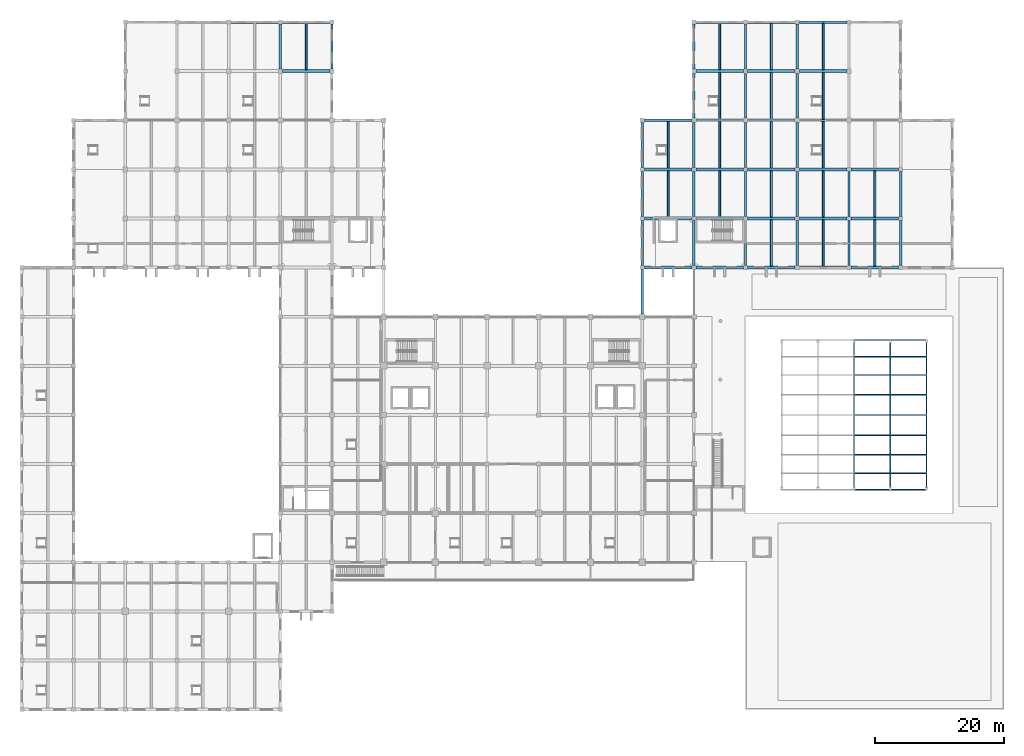
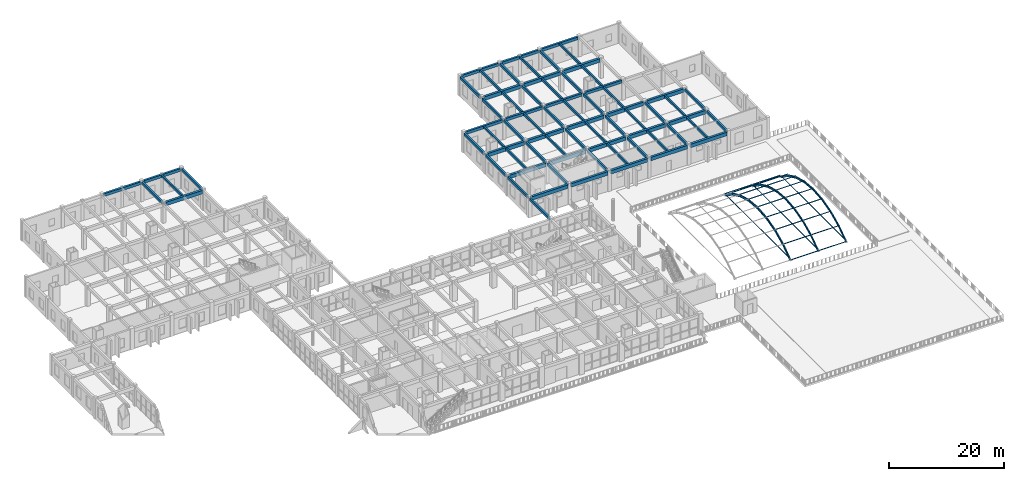
# One storey, part 40 of 79: 96 beams, 21 members.
"""IFC4 building model written with IfcOpenShell, lengths in metres."""

import ifcopenshell
import ifcopenshell.guid

model = None  # the IFC model being written
_history = None  # IfcOwnerHistory: only IFC2X3 demands one
_inside = {}  # id of a spatial element -> (the spatial element, [elements in it])
_under = {}  # id of a project, library or spatial element -> (it, [spatial elements below it])
_declared = {}  # id of a project -> (the project, [libraries it declares])
_typed = {}  # id of a type object -> (the type object, [elements of that type])
_made_of = {}  # id of a material, layer set ... -> (it, [elements and type objects made of it])


def new_model(schema):
    """Start an empty IFC model of exactly this schema.

    Asked for "IFC4X3", IfcOpenShell would pick the latest addendum, in which some entities
    have other attributes; the version numbers below select the first issue.
    IFC2X3 requires an IfcOwnerHistory on every rooted entity: one is made here for all.
    """
    global model, _history
    if schema == "IFC4X3":
        model = ifcopenshell.file(schema_version=(4, 3, 0, 0))
    else:
        model = ifcopenshell.file(schema=schema)
    _inside.clear()
    _under.clear()
    _declared.clear()
    _typed.clear()
    _made_of.clear()
    _history = None
    if model.schema == "IFC2X3":
        org = make("IfcOrganization", Name="unknown")
        user = make(
            "IfcPersonAndOrganization",
            ThePerson=make("IfcPerson", FamilyName="unknown"),
            TheOrganization=org,
        )
        app = make(
            "IfcApplication",
            ApplicationDeveloper=org,
            Version="unknown",
            ApplicationFullName="unknown",
            ApplicationIdentifier="unknown",
        )
        _history = make(
            "IfcOwnerHistory",
            OwningUser=user,
            OwningApplication=app,
            ChangeAction="ADDED",
            CreationDate=0,
        )
    return model


def make(cls, **values):
    """One entity of the class cls with the attributes given. An attribute that is None is left unset."""
    return model.create_entity(
        cls, **{name: value for name, value in values.items() if value is not None}
    )


def rooted(cls, **values):
    """An entity with a GlobalId (a new one), such as an element, a storey or a relation."""
    return make(cls, GlobalId=ifcopenshell.guid.new(), OwnerHistory=_history, **values)


def si_unit(unit_type, name, prefix=None):
    """IfcSIUnit, for example si_unit("LENGTHUNIT", "METRE", prefix="MILLI")."""
    return make("IfcSIUnit", UnitType=unit_type, Prefix=prefix, Name=name)


def assignment(units):
    """IfcUnitAssignment: the units of a project."""
    return None if units is None else make("IfcUnitAssignment", Units=units)


def point(xyz):
    """IfcCartesianPoint."""
    return None if xyz is None else make("IfcCartesianPoint", Coordinates=xyz)


def direction(xyz):
    """IfcDirection."""
    return None if xyz is None else make("IfcDirection", DirectionRatios=xyz)


def frame(location, z_axis=None, x_axis=None):
    """IfcAxis2Placement3D, a coordinate frame: its origin and axes. An axis left out is left unset."""
    return make(
        "IfcAxis2Placement3D",
        Location=point(location),
        Axis=direction(z_axis),
        RefDirection=direction(x_axis),
    )


def frame_2d(location, x_axis=None):
    """IfcAxis2Placement2D, a coordinate frame in the plane: its origin and x axis."""
    return make(
        "IfcAxis2Placement2D", Location=point(location), RefDirection=direction(x_axis)
    )


def origin():
    """The frame at (0, 0, 0) with its axes left unset."""
    return frame((0.0, 0.0, 0.0))


def origin_2d():
    """The frame at (0, 0) in the plane with its x axis left unset."""
    return frame_2d((0.0, 0.0))


def place(relative_to, where):
    """IfcLocalPlacement: puts the frame where relative to a parent placement (None: the world)."""
    return make(
        "IfcLocalPlacement", PlacementRelTo=relative_to, RelativePlacement=where
    )


def context(
    kind, dimensions, precision=None, world=None, true_north=None, identifier=None
):
    """IfcGeometricRepresentationContext, for example the 3D "Model" context."""
    return make(
        "IfcGeometricRepresentationContext",
        ContextIdentifier=identifier,
        ContextType=kind,
        CoordinateSpaceDimension=dimensions,
        Precision=precision,
        WorldCoordinateSystem=world,
        TrueNorth=true_north,
    )


def subcontext(parent, identifier, kind, view, scale=None):
    """IfcGeometricRepresentationSubContext, for example "Body" below "Model"."""
    return make(
        "IfcGeometricRepresentationSubContext",
        ContextIdentifier=identifier,
        ContextType=kind,
        ParentContext=parent,
        TargetScale=scale,
        TargetView=view,
    )


def project(units=None, contexts=None):
    """IfcProject with its units and contexts."""
    return rooted(
        "IfcProject",
        Name="project",
        RepresentationContexts=contexts,
        UnitsInContext=assignment(units),
    )


def spatial(cls, under=None, at=None, **own):
    """A site, building, storey or space (cls), placed at a placement, below another one or the project."""
    s = rooted(cls, ObjectPlacement=at, **own)
    if under is not None:
        _under.setdefault(under.id(), (under, []))[1].append(s)
    return s


def profile(cls, at=None, kind="AREA", **sizes):
    """A parametric profile (cls). Its sizes go by their IFC names, for example OverallWidth=200.0."""
    return make(cls, ProfileType=kind, Position=at, **sizes)


def rectangle(**sizes):
    """IfcRectangleProfileDef."""
    return profile("IfcRectangleProfileDef", **sizes)


def hollow_rectangle(**sizes):
    """IfcRectangleHollowProfileDef."""
    return profile("IfcRectangleHollowProfileDef", **sizes)


def hollow_circle(**sizes):
    """IfcCircleHollowProfileDef."""
    return profile("IfcCircleHollowProfileDef", **sizes)


def i_section(**sizes):
    """IfcIShapeProfileDef."""
    return profile("IfcIShapeProfileDef", **sizes)


def extrude(swept, where, along, depth):
    """IfcExtrudedAreaSolid: the profile swept, set in the frame where, extruded along a direction by depth."""
    return make(
        "IfcExtrudedAreaSolid",
        SweptArea=swept,
        Position=where,
        ExtrudedDirection=direction(along),
        Depth=depth,
    )


def shape(context_of_items, identifier, shape_type, items):
    """IfcShapeRepresentation: the items that make up one representation, for example the "Body"."""
    return make(
        "IfcShapeRepresentation",
        ContextOfItems=context_of_items,
        RepresentationIdentifier=identifier,
        RepresentationType=shape_type,
        Items=items,
    )


def material(Name=None, Category=None):
    """IfcMaterial."""
    return make("IfcMaterial", Name=Name, Category=Category)


def material_profile(
    of_material, cross_section, Name=None, Category=None, Priority=None
):
    """IfcMaterialProfile: a cross section and its material."""
    return make(
        "IfcMaterialProfile",
        Name=Name,
        Material=of_material,
        Profile=cross_section,
        Priority=Priority,
        Category=Category,
    )


def profile_set(profiles, Name=None, composite=None):
    """IfcMaterialProfileSet."""
    return make(
        "IfcMaterialProfileSet",
        Name=Name,
        MaterialProfiles=profiles,
        CompositeProfile=composite,
    )


def made_of(thing, what):
    """Note that an element or type object is made of a material, layer set ...; save() writes the relation."""
    if what is not None:
        _made_of.setdefault(what.id(), (what, []))[1].append(thing)
    return thing


def type_object(cls, material=None, **own):
    """A type object (cls), such as IfcWallType, which elements share."""
    return made_of(rooted(cls, **own), material)


def element(
    cls,
    number,
    at=None,
    inside=None,
    cuts=None,
    type_object=None,
    material=None,
    context=None,
    identifier="Body",
    shape_type=None,
    held_by="IfcProductDefinitionShape",
    body=None,
    shapes=None,
    **own,
):
    """One element of the class cls, such as IfcWall. Its Tag is "e" and its number.

    at: its placement. inside: the storey or other place that contains it. cuts: it is an
    opening in that element (IfcRelVoidsElement). A single representation is given by context,
    identifier, shape_type and body (its items); several are given by shapes. held_by: the class
    of the entity that holds the representations. save() writes the other relations.
    """
    e = rooted(cls, Tag="e%d" % number, ObjectPlacement=at, **own)
    if body is not None:
        shapes = [shape(context, identifier, shape_type, body)]
    if shapes is not None:
        e.Representation = make(held_by, Representations=shapes)
    if inside is not None:
        _inside.setdefault(inside.id(), (inside, []))[1].append(e)
    if cuts is not None:
        rooted(
            "IfcRelVoidsElement", RelatingBuildingElement=cuts, RelatedOpeningElement=e
        )
    if type_object is not None:
        _typed.setdefault(type_object.id(), (type_object, []))[1].append(e)
    return made_of(e, material)


def aggregate(whole, parts):
    """IfcRelAggregates: a whole, such as a stair, and the parts it consists of."""
    return rooted("IfcRelAggregates", RelatingObject=whole, RelatedObjects=parts)


def save(model, path):
    """Write the relations noted so far, then the file.

    IfcRelAggregates (storeys below a building ...), IfcRelContainedInSpatialStructure (elements
    in a storey), IfcRelDefinesByType, IfcRelAssociatesMaterial and IfcRelDeclares: one each for
    every whole, place, type object, material and project.
    """
    for whole, parts in _under.values():
        aggregate(whole, parts)
    for where, things in _inside.values():
        rooted(
            "IfcRelContainedInSpatialStructure",
            RelatedElements=things,
            RelatingStructure=where,
        )
    for kind, things in _typed.values():
        rooted("IfcRelDefinesByType", RelatedObjects=things, RelatingType=kind)
    for what, things in _made_of.values():
        rooted("IfcRelAssociatesMaterial", RelatedObjects=things, RelatingMaterial=what)
    for by, libraries in _declared.values():
        rooted("IfcRelDeclares", RelatingContext=by, RelatedDefinitions=libraries)
    model.write(path)


model = new_model("IFC4")

# Units and contexts
model_context = context("Model", 3, precision=1e-05, world=origin(), true_north=direction((0.0, 1.0)))
body_context = subcontext(model_context, "Body", "Model", "MODEL_VIEW")
ifc_project = project(units=[si_unit("LENGTHUNIT", "METRE"), si_unit("AREAUNIT", "SQUARE_METRE"), si_unit("VOLUMEUNIT", "CUBIC_METRE"), si_unit("PLANEANGLEUNIT", "RADIAN"), si_unit("MASSUNIT", "GRAM", prefix="KILO")], contexts=[model_context])

# Site, building, storey
site_placement = place(None, origin())
site = spatial("IfcSite", under=ifc_project, at=site_placement, CompositionType="ELEMENT")
building_placement = place(site_placement, origin())
building = spatial("IfcBuilding", under=site, at=building_placement, Name="Zantavel Square City Hall", CompositionType="ELEMENT")
storey_placement = place(building_placement, frame((0.0, 0.0, 10.199951171875)))
storey = spatial("IfcBuildingStorey", under=building, at=storey_placement, Name="L03", CompositionType="ELEMENT", Elevation=10.199951171875)

# Beams
ifc_material_1 = material(Name="Concrete C35/45", Category="concrete")
ifc_material_profile_1 = material_profile(ifc_material_1, rectangle(XDim=0.300048828125, YDim=0.5, at=origin_2d()), Name="RC 300x500")
ifc_profile_set_1 = profile_set([ifc_material_profile_1], Name="Concrete C35/45")
beam_type_1 = type_object("IfcBeamType", Name="Floor Joist RC 300x500 C35/45", PredefinedType="JOIST", material=ifc_profile_set_1)
beam_1_placement = place(storey_placement, frame((52.0, 106.625, 3.969970703125), z_axis=(0.0, 1.0, 0.0), x_axis=(-1.0, 0.0, 0.0)))
element("IfcBeam", 1, at=beam_1_placement, inside=storey, type_object=beam_type_1, Name="L03 Floor Joist JST-L03-0520-1064", PredefinedType="JOIST", context=body_context, shape_type="SweptSolid", body=[
    extrude(rectangle(XDim=0.300048828125, YDim=0.5, at=origin_2d()), origin(), (0.0, 0.0, 1.0), 7.175048828125),
])
beam_2_placement = place(storey_placement, frame((108.0, 83.824951171875, 3.969970703125), z_axis=(0.0, 1.0, 0.0), x_axis=(-1.0, 0.0, 0.0)))
element("IfcBeam", 2, at=beam_2_placement, inside=storey, type_object=beam_type_1, Name="L03 Floor Joist JST-L03-1080-0836", PredefinedType="JOIST", context=body_context, shape_type="SweptSolid", body=[
    extrude(rectangle(XDim=0.300048828125, YDim=0.5, at=origin_2d()), origin(), (0.0, 0.0, 1.0), 7.150146484375),
])
beam_3_placement = place(storey_placement, frame((108.0, 91.425048828125, 3.969970703125), z_axis=(0.0, 1.0, 0.0), x_axis=(-1.0, 0.0, 0.0)))
element("IfcBeam", 3, at=beam_3_placement, inside=storey, type_object=beam_type_1, Name="L03 Floor Joist JST-L03-1080-0912", PredefinedType="JOIST", context=body_context, shape_type="SweptSolid", body=[
    extrude(rectangle(XDim=0.300048828125, YDim=0.5, at=origin_2d()), origin(), (0.0, 0.0, 1.0), 7.175048828125),
])
beam_4_placement = place(storey_placement, frame((116.0, 83.824951171875, 3.969970703125), z_axis=(0.0, 1.0, 0.0), x_axis=(-1.0, 0.0, 0.0)))
element("IfcBeam", 4, at=beam_4_placement, inside=storey, type_object=beam_type_1, Name="L03 Floor Joist JST-L03-1160-0836", PredefinedType="JOIST", context=body_context, shape_type="SweptSolid", body=[
    extrude(rectangle(XDim=0.300048828125, YDim=0.5, at=origin_2d()), origin(), (0.0, 0.0, 1.0), 7.150146484375),
])
for number, where, z_axis, x_axis, name in (
    (5, (116.0, 91.425048828125, 3.969970703125), (0.0, 1.0, 0.0), (-1.0, 0.0, 0.0), "L03 Floor Joist JST-L03-1160-0912"),
    (6, (116.0, 99.0, 3.969970703125), (0.0, 1.0, 0.0), (-1.0, 0.0, 0.0), "L03 Floor Joist JST-L03-1160-0988"),
    (7, (116.0, 106.625, 3.969970703125), (0.0, 1.0, 0.0), (-1.0, 0.0, 0.0), "L03 Floor Joist JST-L03-1160-1064"),
):
    element("IfcBeam", number, at=place(storey_placement, frame(where, z_axis=z_axis, x_axis=x_axis)), inside=storey, type_object=beam_type_1, Name=name, PredefinedType="JOIST", context=body_context, shape_type="SweptSolid", body=[
        extrude(rectangle(XDim=0.300048828125, YDim=0.5, at=origin_2d()), origin(), (0.0, 0.0, 1.0), 7.175048828125),
    ])
beam_5_placement = place(storey_placement, frame((124.0, 76.22509765625, 3.969970703125), z_axis=(0.0, 1.0, 0.0), x_axis=(-1.0, 0.0, 0.0)))
element("IfcBeam", 8, at=beam_5_placement, inside=storey, type_object=beam_type_1, Name="L03 Floor Joist JST-L03-1240-0760", PredefinedType="JOIST", context=body_context, shape_type="SweptSolid", body=[
    extrude(rectangle(XDim=0.300048828125, YDim=0.5, at=origin_2d()), origin(), (0.0, 0.0, 1.0), 7.14990234375),
])
beam_6_placement = place(storey_placement, frame((124.0, 83.824951171875, 3.969970703125), z_axis=(0.0, 1.0, 0.0), x_axis=(-1.0, 0.0, 0.0)))
element("IfcBeam", 9, at=beam_6_placement, inside=storey, type_object=beam_type_1, Name="L03 Floor Joist JST-L03-1240-0836", PredefinedType="JOIST", context=body_context, shape_type="SweptSolid", body=[
    extrude(rectangle(XDim=0.300048828125, YDim=0.5, at=origin_2d()), origin(), (0.0, 0.0, 1.0), 7.150146484375),
])
for number, where, z_axis, x_axis, name in (
    (10, (124.0, 91.425048828125, 3.969970703125), (0.0, 1.0, 0.0), (-1.0, 0.0, 0.0), "L03 Floor Joist JST-L03-1240-0912"),
    (11, (124.0, 99.0, 3.969970703125), (0.0, 1.0, 0.0), (-1.0, 0.0, 0.0), "L03 Floor Joist JST-L03-1240-0988"),
    (12, (124.0, 106.625, 3.969970703125), (0.0, 1.0, 0.0), (-1.0, 0.0, 0.0), "L03 Floor Joist JST-L03-1240-1064"),
):
    element("IfcBeam", number, at=place(storey_placement, frame(where, z_axis=z_axis, x_axis=x_axis)), inside=storey, type_object=beam_type_1, Name=name, PredefinedType="JOIST", context=body_context, shape_type="SweptSolid", body=[
        extrude(rectangle(XDim=0.300048828125, YDim=0.5, at=origin_2d()), origin(), (0.0, 0.0, 1.0), 7.175048828125),
    ])
beam_7_placement = place(storey_placement, frame((132.0, 76.22509765625, 3.969970703125), z_axis=(0.0, 1.0, 0.0), x_axis=(-1.0, 0.0, 0.0)))
element("IfcBeam", 13, at=beam_7_placement, inside=storey, type_object=beam_type_1, Name="L03 Floor Joist JST-L03-1320-0760", PredefinedType="JOIST", context=body_context, shape_type="SweptSolid", body=[
    extrude(rectangle(XDim=0.300048828125, YDim=0.5, at=origin_2d()), origin(), (0.0, 0.0, 1.0), 7.14990234375),
])
beam_8_placement = place(storey_placement, frame((132.0, 83.824951171875, 3.969970703125), z_axis=(0.0, 1.0, 0.0), x_axis=(-1.0, 0.0, 0.0)))
element("IfcBeam", 14, at=beam_8_placement, inside=storey, type_object=beam_type_1, Name="L03 Floor Joist JST-L03-1320-0836", PredefinedType="JOIST", context=body_context, shape_type="SweptSolid", body=[
    extrude(rectangle(XDim=0.300048828125, YDim=0.5, at=origin_2d()), origin(), (0.0, 0.0, 1.0), 7.150146484375),
])
for number, where, z_axis, x_axis, name in (
    (15, (132.0, 91.425048828125, 3.969970703125), (0.0, 1.0, 0.0), (-1.0, 0.0, 0.0), "L03 Floor Joist JST-L03-1320-0912"),
    (16, (132.0, 99.0, 3.969970703125), (0.0, 1.0, 0.0), (-1.0, 0.0, 0.0), "L03 Floor Joist JST-L03-1320-0988"),
    (17, (132.0, 106.625, 3.969970703125), (0.0, 1.0, 0.0), (-1.0, 0.0, 0.0), "L03 Floor Joist JST-L03-1320-1064"),
):
    element("IfcBeam", number, at=place(storey_placement, frame(where, z_axis=z_axis, x_axis=x_axis)), inside=storey, type_object=beam_type_1, Name=name, PredefinedType="JOIST", context=body_context, shape_type="SweptSolid", body=[
        extrude(rectangle(XDim=0.300048828125, YDim=0.5, at=origin_2d()), origin(), (0.0, 0.0, 1.0), 7.175048828125),
    ])
beam_9_placement = place(storey_placement, frame((140.0, 76.22509765625, 3.969970703125), z_axis=(0.0, 1.0, 0.0), x_axis=(-1.0, 0.0, 0.0)))
element("IfcBeam", 18, at=beam_9_placement, inside=storey, type_object=beam_type_1, Name="L03 Floor Joist JST-L03-1400-0760", PredefinedType="JOIST", context=body_context, shape_type="SweptSolid", body=[
    extrude(rectangle(XDim=0.300048828125, YDim=0.5, at=origin_2d()), origin(), (0.0, 0.0, 1.0), 7.14990234375),
])
beam_10_placement = place(storey_placement, frame((140.0, 83.824951171875, 3.969970703125), z_axis=(0.0, 1.0, 0.0), x_axis=(-1.0, 0.0, 0.0)))
element("IfcBeam", 19, at=beam_10_placement, inside=storey, type_object=beam_type_1, Name="L03 Floor Joist JST-L03-1400-0836", PredefinedType="JOIST", context=body_context, shape_type="SweptSolid", body=[
    extrude(rectangle(XDim=0.300048828125, YDim=0.5, at=origin_2d()), origin(), (0.0, 0.0, 1.0), 7.150146484375),
])
ifc_material_profile_2 = material_profile(ifc_material_1, rectangle(XDim=0.39990234375, YDim=0.60009765625, at=origin_2d()), Name="RC 400x600")
ifc_profile_set_2 = profile_set([ifc_material_profile_2], Name="Concrete C35/45")
beam_type_2 = type_object("IfcBeamType", Name="Perimeter Spandrel RC 400x600 C35/45", PredefinedType="SPANDREL", material=ifc_profile_set_2)
for number, where, z_axis, x_axis, name in (
    (20, (40.324951171875, 114.0, 3.920166015625), (1.0, 0.0, 0.0), (0.0, 1.0, 0.0), "L03 Girder BMX-L03-0400-1140"),
    (21, (48.324951171875, 114.0, 3.920166015625), (1.0, 0.0, 0.0), (0.0, 1.0, 0.0), "L03 Girder BMX-L03-0480-1140"),
    (22, (104.324951171875, 98.800048828125, 3.920166015625), (1.0, 0.0, 0.0), (0.0, 1.0, 0.0), "L03 Girder BMX-L03-1040-0988"),
    (23, (112.324951171875, 98.800048828125, 3.920166015625), (1.0, 0.0, 0.0), (0.0, 1.0, 0.0), "L03 Girder BMX-L03-1120-0988"),
    (24, (112.324951171875, 114.0, 3.920166015625), (1.0, 0.0, 0.0), (0.0, 1.0, 0.0), "L03 Girder BMX-L03-1120-1140"),
    (25, (120.324951171875, 98.800048828125, 3.920166015625), (1.0, 0.0, 0.0), (0.0, 1.0, 0.0), "L03 Girder BMX-L03-1200-0988"),
    (26, (120.324951171875, 114.0, 3.920166015625), (1.0, 0.0, 0.0), (0.0, 1.0, 0.0), "L03 Girder BMX-L03-1200-1140"),
    (27, (128.324951171875, 98.800048828125, 3.920166015625), (1.0, 0.0, 0.0), (0.0, 1.0, 0.0), "L03 Girder BMX-L03-1280-0988"),
    (28, (128.324951171875, 114.0, 3.920166015625), (1.0, 0.0, 0.0), (0.0, 1.0, 0.0), "L03 Girder BMX-L03-1280-1140"),
):
    element("IfcBeam", number, at=place(storey_placement, frame(where, z_axis=z_axis, x_axis=x_axis)), inside=storey, type_object=beam_type_2, Name=name, PredefinedType="SPANDREL", context=body_context, shape_type="SweptSolid", body=[
        extrude(rectangle(XDim=0.39990234375, YDim=0.60009765625, at=origin_2d()), origin(), (0.0, 0.0, 1.0), 7.35009765625),
    ])
ifc_material_profile_3 = material_profile(ifc_material_1, rectangle(XDim=0.449951171875, YDim=0.75, at=origin_2d()), Name="RC 450x750")
ifc_profile_set_3 = profile_set([ifc_material_profile_3], Name="Concrete C35/45")
beam_type_3 = type_object("IfcBeamType", Name="Primary Girder RC 450x750 C35/45", PredefinedType="BEAM", material=ifc_profile_set_3)
for number, where, z_axis, x_axis, name in (
    (29, (48.324951171875, 106.39990234375, 3.844970703125), (1.0, 0.0, 0.0), (0.0, 1.0, 0.0), "L03 Girder BMX-L03-0480-1064"),
    (30, (104.324951171875, 76.0, 3.844970703125), (1.0, 0.0, 0.0), (0.0, 1.0, 0.0), "L03 Girder BMX-L03-1040-0760"),
    (31, (104.324951171875, 83.60009765625, 3.844970703125), (1.0, 0.0, 0.0), (0.0, 1.0, 0.0), "L03 Girder BMX-L03-1040-0836"),
    (32, (104.324951171875, 91.199951171875, 3.844970703125), (1.0, 0.0, 0.0), (0.0, 1.0, 0.0), "L03 Girder BMX-L03-1040-0912"),
    (33, (112.324951171875, 76.0, 3.844970703125), (1.0, 0.0, 0.0), (0.0, 1.0, 0.0), "L03 Girder BMX-L03-1120-0760"),
    (34, (112.324951171875, 83.60009765625, 3.844970703125), (1.0, 0.0, 0.0), (0.0, 1.0, 0.0), "L03 Girder BMX-L03-1120-0836"),
    (35, (112.324951171875, 91.199951171875, 3.844970703125), (1.0, 0.0, 0.0), (0.0, 1.0, 0.0), "L03 Girder BMX-L03-1120-0912"),
    (36, (112.324951171875, 106.39990234375, 3.844970703125), (1.0, 0.0, 0.0), (0.0, 1.0, 0.0), "L03 Girder BMX-L03-1120-1064"),
    (37, (120.324951171875, 76.0, 3.844970703125), (1.0, 0.0, 0.0), (0.0, 1.0, 0.0), "L03 Girder BMX-L03-1200-0760"),
    (38, (120.324951171875, 83.60009765625, 3.844970703125), (1.0, 0.0, 0.0), (0.0, 1.0, 0.0), "L03 Girder BMX-L03-1200-0836"),
    (39, (120.324951171875, 91.199951171875, 3.844970703125), (1.0, 0.0, 0.0), (0.0, 1.0, 0.0), "L03 Girder BMX-L03-1200-0912"),
    (40, (120.324951171875, 106.39990234375, 3.844970703125), (1.0, 0.0, 0.0), (0.0, 1.0, 0.0), "L03 Girder BMX-L03-1200-1064"),
    (41, (128.324951171875, 76.0, 3.844970703125), (1.0, 0.0, 0.0), (0.0, 1.0, 0.0), "L03 Girder BMX-L03-1280-0760"),
    (42, (128.324951171875, 83.60009765625, 3.844970703125), (1.0, 0.0, 0.0), (0.0, 1.0, 0.0), "L03 Girder BMX-L03-1280-0836"),
    (43, (128.324951171875, 91.199951171875, 3.844970703125), (1.0, 0.0, 0.0), (0.0, 1.0, 0.0), "L03 Girder BMX-L03-1280-0912"),
    (44, (128.324951171875, 106.39990234375, 3.844970703125), (1.0, 0.0, 0.0), (0.0, 1.0, 0.0), "L03 Girder BMX-L03-1280-1064"),
    (45, (136.324951171875, 76.0, 3.844970703125), (1.0, 0.0, 0.0), (0.0, 1.0, 0.0), "L03 Girder BMX-L03-1360-0760"),
    (46, (136.324951171875, 83.60009765625, 3.844970703125), (1.0, 0.0, 0.0), (0.0, 1.0, 0.0), "L03 Girder BMX-L03-1360-0836"),
    (47, (136.324951171875, 91.199951171875, 3.844970703125), (1.0, 0.0, 0.0), (0.0, 1.0, 0.0), "L03 Girder BMX-L03-1360-0912"),
):
    element("IfcBeam", number, at=place(storey_placement, frame(where, z_axis=z_axis, x_axis=x_axis)), inside=storey, type_object=beam_type_3, Name=name, PredefinedType="BEAM", context=body_context, shape_type="SweptSolid", body=[
        extrude(rectangle(XDim=0.449951171875, YDim=0.75, at=origin_2d()), origin(), (0.0, 0.0, 1.0), 7.35009765625),
    ])
ifc_material_profile_4 = material_profile(ifc_material_1, rectangle(XDim=0.35009765625, YDim=0.550048828125, at=origin_2d()), Name="RC 350x550")
ifc_profile_set_4 = profile_set([ifc_material_profile_4], Name="Concrete C35/45")
beam_type_4 = type_object("IfcBeamType", Name="Secondary Beam RC 350x550 C35/45", PredefinedType="BEAM", material=ifc_profile_set_4)
for number, where, z_axis, x_axis, name in (
    (48, (48.0, 106.72509765625, 3.945068359375), (0.0, 1.0, 0.0), (-1.0, 0.0, 0.0), "L03 Beam BMY-L03-0480-1064"),
    (49, (56.0, 106.72509765625, 3.945068359375), (0.0, 1.0, 0.0), (-1.0, 0.0, 0.0), "L03 Beam BMY-L03-0560-1064"),
):
    element("IfcBeam", number, at=place(storey_placement, frame(where, z_axis=z_axis, x_axis=x_axis)), inside=storey, type_object=beam_type_4, Name=name, PredefinedType="BEAM", context=body_context, shape_type="SweptSolid", body=[
        extrude(rectangle(XDim=0.35009765625, YDim=0.550048828125, at=origin_2d()), origin(), (0.0, 0.0, 1.0), 6.949951171875),
    ])
beam_11_placement = place(storey_placement, frame((104.0, 68.800048828125, 3.945068359375), z_axis=(0.0, 1.0, 0.0), x_axis=(-1.0, 0.0, 0.0)))
element("IfcBeam", 50, at=beam_11_placement, inside=storey, type_object=beam_type_4, Name="L03 Beam BMY-L03-1040-0684", PredefinedType="BEAM", context=body_context, shape_type="SweptSolid", body=[
    extrude(rectangle(XDim=0.35009765625, YDim=0.550048828125, at=origin_2d()), origin(), (0.0, 0.0, 1.0), 6.875),
])
for number, where, z_axis, x_axis, name in (
    (51, (104.0, 76.324951171875, 3.945068359375), (0.0, 1.0, 0.0), (-1.0, 0.0, 0.0), "L03 Beam BMY-L03-1040-0760"),
    (52, (104.0, 83.925048828125, 3.945068359375), (0.0, 1.0, 0.0), (-1.0, 0.0, 0.0), "L03 Beam BMY-L03-1040-0836"),
):
    element("IfcBeam", number, at=place(storey_placement, frame(where, z_axis=z_axis, x_axis=x_axis)), inside=storey, type_object=beam_type_4, Name=name, PredefinedType="BEAM", context=body_context, shape_type="SweptSolid", body=[
        extrude(rectangle(XDim=0.35009765625, YDim=0.550048828125, at=origin_2d()), origin(), (0.0, 0.0, 1.0), 6.949951171875),
    ])
beam_12_placement = place(storey_placement, frame((104.0, 91.52490234375, 3.945068359375), z_axis=(0.0, 1.0, 0.0), x_axis=(-1.0, 0.0, 0.0)))
element("IfcBeam", 53, at=beam_12_placement, inside=storey, type_object=beam_type_4, Name="L03 Beam BMY-L03-1040-0912", PredefinedType="BEAM", context=body_context, shape_type="SweptSolid", body=[
    extrude(rectangle(XDim=0.35009765625, YDim=0.550048828125, at=origin_2d()), origin(), (0.0, 0.0, 1.0), 6.9501953125),
])
for number, where, z_axis, x_axis, name in (
    (54, (112.0, 76.324951171875, 3.945068359375), (0.0, 1.0, 0.0), (-1.0, 0.0, 0.0), "L03 Beam BMY-L03-1120-0760"),
    (55, (112.0, 83.925048828125, 3.945068359375), (0.0, 1.0, 0.0), (-1.0, 0.0, 0.0), "L03 Beam BMY-L03-1120-0836"),
):
    element("IfcBeam", number, at=place(storey_placement, frame(where, z_axis=z_axis, x_axis=x_axis)), inside=storey, type_object=beam_type_4, Name=name, PredefinedType="BEAM", context=body_context, shape_type="SweptSolid", body=[
        extrude(rectangle(XDim=0.35009765625, YDim=0.550048828125, at=origin_2d()), origin(), (0.0, 0.0, 1.0), 6.949951171875),
    ])
beam_13_placement = place(storey_placement, frame((112.0, 91.52490234375, 3.945068359375), z_axis=(0.0, 1.0, 0.0), x_axis=(-1.0, 0.0, 0.0)))
element("IfcBeam", 56, at=beam_13_placement, inside=storey, type_object=beam_type_4, Name="L03 Beam BMY-L03-1120-0912", PredefinedType="BEAM", context=body_context, shape_type="SweptSolid", body=[
    extrude(rectangle(XDim=0.35009765625, YDim=0.550048828125, at=origin_2d()), origin(), (0.0, 0.0, 1.0), 6.9501953125),
])
for number, where, z_axis, x_axis, name in (
    (57, (112.0, 99.125, 3.945068359375), (0.0, 1.0, 0.0), (-1.0, 0.0, 0.0), "L03 Beam BMY-L03-1120-0988"),
    (58, (112.0, 106.72509765625, 3.945068359375), (0.0, 1.0, 0.0), (-1.0, 0.0, 0.0), "L03 Beam BMY-L03-1120-1064"),
    (59, (120.0, 76.324951171875, 3.945068359375), (0.0, 1.0, 0.0), (-1.0, 0.0, 0.0), "L03 Beam BMY-L03-1200-0760"),
    (60, (120.0, 83.925048828125, 3.945068359375), (0.0, 1.0, 0.0), (-1.0, 0.0, 0.0), "L03 Beam BMY-L03-1200-0836"),
):
    element("IfcBeam", number, at=place(storey_placement, frame(where, z_axis=z_axis, x_axis=x_axis)), inside=storey, type_object=beam_type_4, Name=name, PredefinedType="BEAM", context=body_context, shape_type="SweptSolid", body=[
        extrude(rectangle(XDim=0.35009765625, YDim=0.550048828125, at=origin_2d()), origin(), (0.0, 0.0, 1.0), 6.949951171875),
    ])
beam_14_placement = place(storey_placement, frame((120.0, 91.52490234375, 3.945068359375), z_axis=(0.0, 1.0, 0.0), x_axis=(-1.0, 0.0, 0.0)))
element("IfcBeam", 61, at=beam_14_placement, inside=storey, type_object=beam_type_4, Name="L03 Beam BMY-L03-1200-0912", PredefinedType="BEAM", context=body_context, shape_type="SweptSolid", body=[
    extrude(rectangle(XDim=0.35009765625, YDim=0.550048828125, at=origin_2d()), origin(), (0.0, 0.0, 1.0), 6.9501953125),
])
for number, where, z_axis, x_axis, name in (
    (62, (120.0, 99.125, 3.945068359375), (0.0, 1.0, 0.0), (-1.0, 0.0, 0.0), "L03 Beam BMY-L03-1200-0988"),
    (63, (120.0, 106.72509765625, 3.945068359375), (0.0, 1.0, 0.0), (-1.0, 0.0, 0.0), "L03 Beam BMY-L03-1200-1064"),
    (64, (128.0, 76.324951171875, 3.945068359375), (0.0, 1.0, 0.0), (-1.0, 0.0, 0.0), "L03 Beam BMY-L03-1280-0760"),
    (65, (128.0, 83.925048828125, 3.945068359375), (0.0, 1.0, 0.0), (-1.0, 0.0, 0.0), "L03 Beam BMY-L03-1280-0836"),
):
    element("IfcBeam", number, at=place(storey_placement, frame(where, z_axis=z_axis, x_axis=x_axis)), inside=storey, type_object=beam_type_4, Name=name, PredefinedType="BEAM", context=body_context, shape_type="SweptSolid", body=[
        extrude(rectangle(XDim=0.35009765625, YDim=0.550048828125, at=origin_2d()), origin(), (0.0, 0.0, 1.0), 6.949951171875),
    ])
beam_15_placement = place(storey_placement, frame((128.0, 91.52490234375, 3.945068359375), z_axis=(0.0, 1.0, 0.0), x_axis=(-1.0, 0.0, 0.0)))
element("IfcBeam", 66, at=beam_15_placement, inside=storey, type_object=beam_type_4, Name="L03 Beam BMY-L03-1280-0912", PredefinedType="BEAM", context=body_context, shape_type="SweptSolid", body=[
    extrude(rectangle(XDim=0.35009765625, YDim=0.550048828125, at=origin_2d()), origin(), (0.0, 0.0, 1.0), 6.9501953125),
])
for number, where, z_axis, x_axis, name in (
    (67, (128.0, 99.125, 3.945068359375), (0.0, 1.0, 0.0), (-1.0, 0.0, 0.0), "L03 Beam BMY-L03-1280-0988"),
    (68, (128.0, 106.72509765625, 3.945068359375), (0.0, 1.0, 0.0), (-1.0, 0.0, 0.0), "L03 Beam BMY-L03-1280-1064"),
    (69, (136.0, 76.324951171875, 3.945068359375), (0.0, 1.0, 0.0), (-1.0, 0.0, 0.0), "L03 Beam BMY-L03-1360-0760"),
    (70, (136.0, 83.925048828125, 3.945068359375), (0.0, 1.0, 0.0), (-1.0, 0.0, 0.0), "L03 Beam BMY-L03-1360-0836"),
    (71, (144.0, 76.324951171875, 3.945068359375), (0.0, 1.0, 0.0), (-1.0, 0.0, 0.0), "L03 Beam BMY-L03-1440-0760"),
    (72, (144.0, 83.925048828125, 3.945068359375), (0.0, 1.0, 0.0), (-1.0, 0.0, 0.0), "L03 Beam BMY-L03-1440-0836"),
):
    element("IfcBeam", number, at=place(storey_placement, frame(where, z_axis=z_axis, x_axis=x_axis)), inside=storey, type_object=beam_type_4, Name=name, PredefinedType="BEAM", context=body_context, shape_type="SweptSolid", body=[
        extrude(rectangle(XDim=0.35009765625, YDim=0.550048828125, at=origin_2d()), origin(), (0.0, 0.0, 1.0), 6.949951171875),
    ])
ifc_material_2 = material(Name="Steel ASTM A992 Grade 50", Category="steel")
ifc_material_profile_5 = material_profile(ifc_material_2, i_section(OverallWidth=0.19091796875, OverallDepth=0.4599609375, WebThickness=0.010009765625, FlangeThickness=0.01611328125, at=origin_2d()), Name="W460x82")
ifc_profile_set_5 = profile_set([ifc_material_profile_5], Name="Steel ASTM A992 Grade 50")
beam_type_5 = type_object("IfcBeamType", Name="Skylight Arch Rib W460x82", PredefinedType="BEAM", material=ifc_profile_set_5)
beam_16_placement = place(storey_placement, frame((136.800048828125, 41.800048828125, 0.0), z_axis=(0.0, 0.815190202113, 0.57919334801), x_axis=(-1.0, 0.0, 0.0)))
element("IfcBeam", 73, at=beam_16_placement, inside=storey, type_object=beam_type_5, Name="Skylight Rib 3 Chord 1", PredefinedType="BEAM", context=body_context, shape_type="SweptSolid", body=[
    extrude(i_section(OverallWidth=0.19091796875, OverallDepth=0.4599609375, WebThickness=0.010009765625, FlangeThickness=0.01611328125, at=origin_2d()), origin(), (0.0, 0.0, 1.0), 3.097412109375),
])
for number, where, z_axis, x_axis, name in (
    (74, (136.800048828125, 44.324951171875, 1.7939453125), (0.0, 0.904213980184, 0.427079709235), (-1.0, 0.0, 0.0), "Skylight Rib 3 Chord 2"),
    (75, (136.800048828125, 47.12548828125, 3.11669921875), (0.0, 0.965168334926, 0.261629671972), (-1.0, 0.0, 0.0), "Skylight Rib 3 Chord 3"),
    (76, (136.800048828125, 50.11474609375, 3.927001953125), (0.0, 0.996109321707, 0.088126155074), (-1.0, 0.0, 0.0), "Skylight Rib 3 Chord 4"),
    (77, (136.800048828125, 53.199951171875, 4.199951171875), (0.0, 0.996109321707, -0.088126155074), (-1.0, 0.0, 0.0), "Skylight Rib 3 Chord 5"),
    (78, (136.800048828125, 56.28515625, 3.927001953125), (0.0, 0.965168334926, -0.261629671972), (-1.0, 0.0, 0.0), "Skylight Rib 3 Chord 6"),
):
    element("IfcBeam", number, at=place(storey_placement, frame(where, z_axis=z_axis, x_axis=x_axis)), inside=storey, type_object=beam_type_5, Name=name, PredefinedType="BEAM", context=body_context, shape_type="SweptSolid", body=[
        extrude(i_section(OverallWidth=0.19091796875, OverallDepth=0.4599609375, WebThickness=0.010009765625, FlangeThickness=0.01611328125, at=origin_2d()), origin(), (0.0, 0.0, 1.0), 3.09716796875),
    ])
for number, where, z_axis, x_axis, name in (
    (79, (136.800048828125, 59.2744140625, 3.11669921875), (0.0, 0.904228356294, -0.427049270781), (-1.0, 0.0, 0.0), "Skylight Rib 3 Chord 7"),
    (80, (136.800048828125, 62.0751953125, 1.7939453125), (0.0, 0.815190202113, -0.57919334801), (-1.0, 0.0, 0.0), "Skylight Rib 3 Chord 8"),
):
    element("IfcBeam", number, at=place(storey_placement, frame(where, z_axis=z_axis, x_axis=x_axis)), inside=storey, type_object=beam_type_5, Name=name, PredefinedType="BEAM", context=body_context, shape_type="SweptSolid", body=[
        extrude(i_section(OverallWidth=0.19091796875, OverallDepth=0.4599609375, WebThickness=0.010009765625, FlangeThickness=0.01611328125, at=origin_2d()), origin(), (0.0, 0.0, 1.0), 3.097412109375),
    ])

# Members
ifc_material_3 = material(Name="Steel ASTM A500 Grade B", Category="steel")
ifc_material_profile_6 = material_profile(ifc_material_3, hollow_circle(Radius=0.084228515625, WallThickness=0.009521484375, at=origin_2d()), Name="CHS 168.3x9.5")
ifc_profile_set_6 = profile_set([ifc_material_profile_6], Name="Steel ASTM A500 Grade B")
member_type_1 = type_object("IfcMemberType", Name="Skylight Arch Tension Tie CHS 168.3x9.5", PredefinedType="CHORD", material=ifc_profile_set_6)
for number, where, z_axis, x_axis, name in (
    (81, (136.800048828125, 42.050048828125, 0.280029296875), (0.0, 1.0, 0.0), (-1.0, 0.0, 0.0), "Skylight Rib 3 Tie"),
    (82, (142.39990234375, 42.050048828125, 0.280029296875), (0.0, 1.0, 0.0), (-1.0, 0.0, 0.0), "Skylight Rib 4 Tie"),
    (83, (148.0, 42.050048828125, 0.280029296875), (0.0, 1.0, 0.0), (-1.0, 0.0, 0.0), "Skylight Rib 5 Tie"),
):
    element("IfcMember", number, at=place(storey_placement, frame(where, z_axis=z_axis, x_axis=x_axis)), inside=storey, type_object=member_type_1, Name=name, PredefinedType="CHORD", context=body_context, shape_type="SweptSolid", body=[
        extrude(hollow_circle(Radius=0.084228515625, WallThickness=0.009521484375, at=origin_2d()), origin(), (0.0, 0.0, 1.0), 22.300048828125),
    ])

# Beams
ifc_material_profile_7 = material_profile(ifc_material_2, i_section(OverallWidth=0.178955078125, OverallDepth=0.409912109375, WebThickness=0.0087890625, FlangeThickness=0.014404296875, at=origin_2d()), Name="W410x67")
ifc_profile_set_7 = profile_set([ifc_material_profile_7], Name="Steel ASTM A992 Grade 50")
beam_type_6 = type_object("IfcBeamType", Name="Skylight End Rib W410x67", PredefinedType="BEAM", material=ifc_profile_set_7)
beam_17_placement = place(storey_placement, frame((148.0, 41.800048828125, 0.0), z_axis=(0.0, 0.815190202113, 0.57919334801), x_axis=(-1.0, 0.0, 0.0)))
element("IfcBeam", 84, at=beam_17_placement, inside=storey, type_object=beam_type_6, Name="Skylight Rib 5 Chord 1", PredefinedType="BEAM", context=body_context, shape_type="SweptSolid", body=[
    extrude(i_section(OverallWidth=0.178955078125, OverallDepth=0.409912109375, WebThickness=0.0087890625, FlangeThickness=0.014404296875, at=origin_2d()), origin(), (0.0, 0.0, 1.0), 3.097412109375),
])
for number, where, z_axis, x_axis, name in (
    (85, (148.0, 44.324951171875, 1.7939453125), (0.0, 0.904213980184, 0.427079709235), (-1.0, 0.0, 0.0), "Skylight Rib 5 Chord 2"),
    (86, (148.0, 47.12548828125, 3.11669921875), (0.0, 0.965168334926, 0.261629671972), (-1.0, 0.0, 0.0), "Skylight Rib 5 Chord 3"),
    (87, (148.0, 50.11474609375, 3.927001953125), (0.0, 0.996109321707, 0.088126155074), (-1.0, 0.0, 0.0), "Skylight Rib 5 Chord 4"),
    (88, (148.0, 53.199951171875, 4.199951171875), (0.0, 0.996109321707, -0.088126155074), (-1.0, 0.0, 0.0), "Skylight Rib 5 Chord 5"),
    (89, (148.0, 56.28515625, 3.927001953125), (0.0, 0.965168334926, -0.261629671972), (-1.0, 0.0, 0.0), "Skylight Rib 5 Chord 6"),
):
    element("IfcBeam", number, at=place(storey_placement, frame(where, z_axis=z_axis, x_axis=x_axis)), inside=storey, type_object=beam_type_6, Name=name, PredefinedType="BEAM", context=body_context, shape_type="SweptSolid", body=[
        extrude(i_section(OverallWidth=0.178955078125, OverallDepth=0.409912109375, WebThickness=0.0087890625, FlangeThickness=0.014404296875, at=origin_2d()), origin(), (0.0, 0.0, 1.0), 3.09716796875),
    ])
for number, where, z_axis, x_axis, name in (
    (90, (148.0, 59.2744140625, 3.11669921875), (0.0, 0.904228356294, -0.427049270781), (-1.0, 0.0, 0.0), "Skylight Rib 5 Chord 7"),
    (91, (148.0, 62.0751953125, 1.7939453125), (0.0, 0.815190202113, -0.57919334801), (-1.0, 0.0, 0.0), "Skylight Rib 5 Chord 8"),
):
    element("IfcBeam", number, at=place(storey_placement, frame(where, z_axis=z_axis, x_axis=x_axis)), inside=storey, type_object=beam_type_6, Name=name, PredefinedType="BEAM", context=body_context, shape_type="SweptSolid", body=[
        extrude(i_section(OverallWidth=0.178955078125, OverallDepth=0.409912109375, WebThickness=0.0087890625, FlangeThickness=0.014404296875, at=origin_2d()), origin(), (0.0, 0.0, 1.0), 3.097412109375),
    ])

# Members
ifc_material_profile_8 = material_profile(ifc_material_3, hollow_rectangle(XDim=0.10205078125, YDim=0.152099609375, WallThickness=0.008056640625, at=origin_2d()), Name="HSS 152x102x8.0")
ifc_profile_set_8 = profile_set([ifc_material_profile_8], Name="Steel ASTM A500 Grade B")
member_type_2 = type_object("IfcMemberType", Name="Skylight HSS Purlin 152x102x8.0", PredefinedType="PURLIN", material=ifc_profile_set_8)
for number, where, z_axis, x_axis, name in (
    (92, (136.820068359375, 41.620361328125, 0.2109375), (1.0, 0.0, 0.0), (0.0, 1.0, 0.0), "Skylight Bay 3 Purlin 1"),
    (93, (136.820068359375, 44.184814453125, 2.032958984375), (1.0, 0.0, 0.0), (0.0, 1.0, 0.0), "Skylight Bay 3 Purlin 2"),
    (94, (136.820068359375, 47.02978515625, 3.37646484375), (1.0, 0.0, 0.0), (0.0, 1.0, 0.0), "Skylight Bay 3 Purlin 3"),
    (95, (136.820068359375, 50.066162109375, 4.19970703125), (1.0, 0.0, 0.0), (0.0, 1.0, 0.0), "Skylight Bay 3 Purlin 4"),
    (96, (136.820068359375, 53.199951171875, 4.47705078125), (1.0, 0.0, 0.0), (0.0, 1.0, 0.0), "Skylight Bay 3 Purlin 5"),
    (97, (136.820068359375, 56.333740234375, 4.19970703125), (1.0, 0.0, 0.0), (0.0, 1.0, 0.0), "Skylight Bay 3 Purlin 6"),
    (98, (136.820068359375, 59.370361328125, 3.37646484375), (1.0, 0.0, 0.0), (0.0, 1.0, 0.0), "Skylight Bay 3 Purlin 7"),
    (99, (136.820068359375, 62.215087890625, 2.032958984375), (1.0, 0.0, 0.0), (0.0, 1.0, 0.0), "Skylight Bay 3 Purlin 8"),
    (100, (136.820068359375, 64.77978515625, 0.2109375), (1.0, 0.0, 0.0), (0.0, 1.0, 0.0), "Skylight Bay 3 Purlin 9"),
):
    element("IfcMember", number, at=place(storey_placement, frame(where, z_axis=z_axis, x_axis=x_axis)), inside=storey, type_object=member_type_2, Name=name, PredefinedType="PURLIN", context=body_context, shape_type="SweptSolid", body=[
        extrude(hollow_rectangle(XDim=0.10205078125, YDim=0.152099609375, WallThickness=0.008056640625, at=origin_2d()), origin(), (0.0, 0.0, 1.0), 5.559814453125),
    ])
for number, where, z_axis, x_axis, name in (
    (101, (142.419921875, 41.620361328125, 0.2109375), (1.0, 0.0, 0.0), (0.0, 1.0, 0.0), "Skylight Bay 4 Purlin 1"),
    (102, (142.419921875, 44.184814453125, 2.032958984375), (1.0, 0.0, 0.0), (0.0, 1.0, 0.0), "Skylight Bay 4 Purlin 2"),
    (103, (142.419921875, 47.02978515625, 3.37646484375), (1.0, 0.0, 0.0), (0.0, 1.0, 0.0), "Skylight Bay 4 Purlin 3"),
    (104, (142.419921875, 50.066162109375, 4.19970703125), (1.0, 0.0, 0.0), (0.0, 1.0, 0.0), "Skylight Bay 4 Purlin 4"),
    (105, (142.419921875, 53.199951171875, 4.47705078125), (1.0, 0.0, 0.0), (0.0, 1.0, 0.0), "Skylight Bay 4 Purlin 5"),
    (106, (142.419921875, 56.333740234375, 4.19970703125), (1.0, 0.0, 0.0), (0.0, 1.0, 0.0), "Skylight Bay 4 Purlin 6"),
    (107, (142.419921875, 59.370361328125, 3.37646484375), (1.0, 0.0, 0.0), (0.0, 1.0, 0.0), "Skylight Bay 4 Purlin 7"),
    (108, (142.419921875, 62.215087890625, 2.032958984375), (1.0, 0.0, 0.0), (0.0, 1.0, 0.0), "Skylight Bay 4 Purlin 8"),
    (109, (142.419921875, 64.77978515625, 0.2109375), (1.0, 0.0, 0.0), (0.0, 1.0, 0.0), "Skylight Bay 4 Purlin 9"),
):
    element("IfcMember", number, at=place(storey_placement, frame(where, z_axis=z_axis, x_axis=x_axis)), inside=storey, type_object=member_type_2, Name=name, PredefinedType="PURLIN", context=body_context, shape_type="SweptSolid", body=[
        extrude(hollow_rectangle(XDim=0.10205078125, YDim=0.152099609375, WallThickness=0.008056640625, at=origin_2d()), origin(), (0.0, 0.0, 1.0), 5.56005859375),
    ])

# Beams
ifc_material_profile_9 = material_profile(ifc_material_2, i_section(OverallWidth=0.177001953125, OverallDepth=0.403076171875, WebThickness=0.007568359375, FlangeThickness=0.010986328125, at=origin_2d()), Name="W410x53")
ifc_profile_set_9 = profile_set([ifc_material_profile_9], Name="Steel ASTM A992 Grade 50")
beam_type_7 = type_object("IfcBeamType", Name="Skylight Intermediate Rib W410x53", PredefinedType="BEAM", material=ifc_profile_set_9)
beam_18_placement = place(storey_placement, frame((142.39990234375, 41.800048828125, 0.0), z_axis=(0.0, 0.815190202113, 0.57919334801), x_axis=(-1.0, 0.0, 0.0)))
element("IfcBeam", 110, at=beam_18_placement, inside=storey, type_object=beam_type_7, Name="Skylight Rib 4 Chord 1", PredefinedType="BEAM", context=body_context, shape_type="SweptSolid", body=[
    extrude(i_section(OverallWidth=0.177001953125, OverallDepth=0.403076171875, WebThickness=0.007568359375, FlangeThickness=0.010986328125, at=origin_2d()), origin(), (0.0, 0.0, 1.0), 3.097412109375),
])
for number, where, z_axis, x_axis, name in (
    (111, (142.39990234375, 44.324951171875, 1.7939453125), (0.0, 0.904213980184, 0.427079709235), (-1.0, 0.0, 0.0), "Skylight Rib 4 Chord 2"),
    (112, (142.39990234375, 47.12548828125, 3.11669921875), (0.0, 0.965168334926, 0.261629671972), (-1.0, 0.0, 0.0), "Skylight Rib 4 Chord 3"),
    (113, (142.39990234375, 50.11474609375, 3.927001953125), (0.0, 0.996109321707, 0.088126155074), (-1.0, 0.0, 0.0), "Skylight Rib 4 Chord 4"),
    (114, (142.39990234375, 53.199951171875, 4.199951171875), (0.0, 0.996109321707, -0.088126155074), (-1.0, 0.0, 0.0), "Skylight Rib 4 Chord 5"),
    (115, (142.39990234375, 56.28515625, 3.927001953125), (0.0, 0.965168334926, -0.261629671972), (-1.0, 0.0, 0.0), "Skylight Rib 4 Chord 6"),
):
    element("IfcBeam", number, at=place(storey_placement, frame(where, z_axis=z_axis, x_axis=x_axis)), inside=storey, type_object=beam_type_7, Name=name, PredefinedType="BEAM", context=body_context, shape_type="SweptSolid", body=[
        extrude(i_section(OverallWidth=0.177001953125, OverallDepth=0.403076171875, WebThickness=0.007568359375, FlangeThickness=0.010986328125, at=origin_2d()), origin(), (0.0, 0.0, 1.0), 3.09716796875),
    ])
for number, where, z_axis, x_axis, name in (
    (116, (142.39990234375, 59.2744140625, 3.11669921875), (0.0, 0.904228356294, -0.427049270781), (-1.0, 0.0, 0.0), "Skylight Rib 4 Chord 7"),
    (117, (142.39990234375, 62.0751953125, 1.7939453125), (0.0, 0.815190202113, -0.57919334801), (-1.0, 0.0, 0.0), "Skylight Rib 4 Chord 8"),
):
    element("IfcBeam", number, at=place(storey_placement, frame(where, z_axis=z_axis, x_axis=x_axis)), inside=storey, type_object=beam_type_7, Name=name, PredefinedType="BEAM", context=body_context, shape_type="SweptSolid", body=[
        extrude(i_section(OverallWidth=0.177001953125, OverallDepth=0.403076171875, WebThickness=0.007568359375, FlangeThickness=0.010986328125, at=origin_2d()), origin(), (0.0, 0.0, 1.0), 3.097412109375),
    ])

save(model, "model.ifc")
